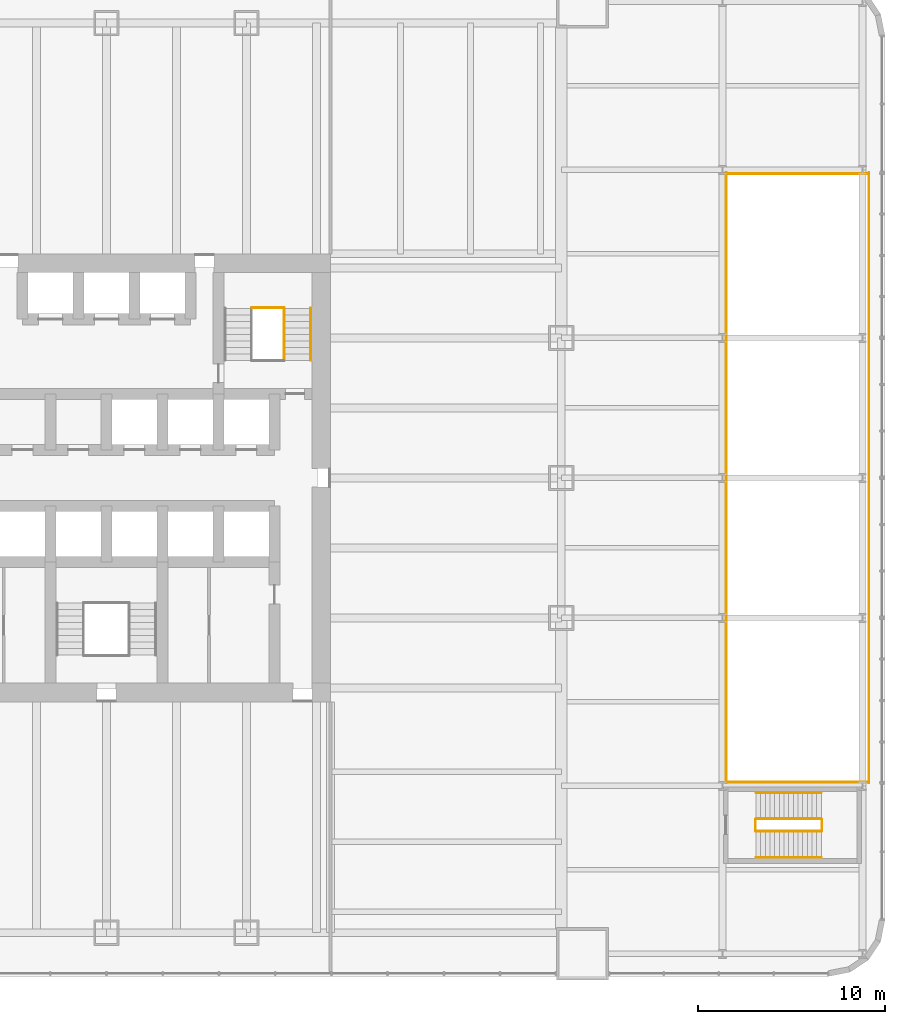
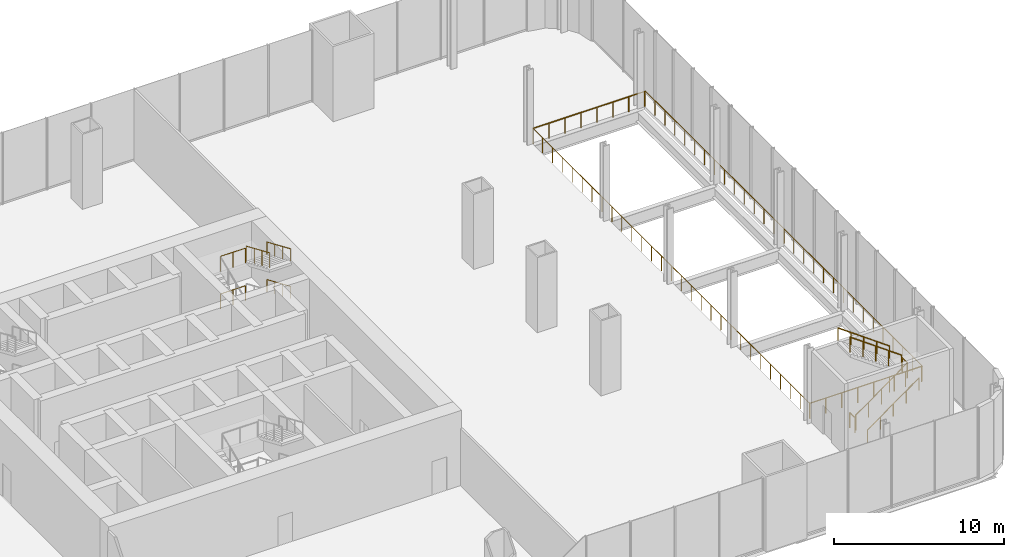
# One storey, part 16 of 16: 15 railings.
"""IFC4 building model written with IfcOpenShell, lengths in metres."""

from ifc_helpers import new_model, si_unit, direction, frame, origin, origin_2d, place, context, subcontext, project, spatial, circle, extrude, material, type_object, element, save


model = new_model("IFC4")

# Units and contexts
model_context = context("Model", 3, precision=1e-05, world=origin(), true_north=direction((0.0, 1.0)))
body_context = subcontext(model_context, "Body", "Model", "MODEL_VIEW")
ifc_project = project(units=[si_unit("LENGTHUNIT", "METRE"), si_unit("AREAUNIT", "SQUARE_METRE"), si_unit("VOLUMEUNIT", "CUBIC_METRE"), si_unit("PLANEANGLEUNIT", "RADIAN"), si_unit("MASSUNIT", "GRAM", prefix="KILO")], contexts=[model_context])

# Site, building, storey
site_placement = place(None, origin())
site = spatial("IfcSite", under=ifc_project, at=site_placement, CompositionType="ELEMENT")
building_placement = place(site_placement, origin())
building = spatial("IfcBuilding", under=site, at=building_placement, Name="Tarangal Relay Tower", CompositionType="ELEMENT")
storey_placement = place(building_placement, frame((0.0, 0.0, 12.60009765625)))
storey = spatial("IfcBuildingStorey", under=building, at=storey_placement, Name="L02", CompositionType="ELEMENT", Elevation=12.60009765625)

# Railings
ifc_material_1 = material(Name="Black steel guard with glass infill", Category="steel")
railing_type_1 = type_object("IfcRailingType", Name="Atrium guard 1100", PredefinedType="GUARDRAIL", material=ifc_material_1)
railing_1_placement = place(storey_placement, frame((40.85009765625, -16.35009765625, 0.0)))
element("IfcRailing", 1, at=railing_1_placement, inside=storey, type_object=railing_type_1, Name="Atrium guard GR3 L02", PredefinedType="GUARDRAIL", context=body_context, shape_type="SweptSolid", body=[
    extrude(circle(Radius=0.02392578125, at=origin_2d()), frame((0.0, 0.0, 1.076171875), z_axis=(0.0, 1.0, 0.0), x_axis=(-1.0, 0.0, 0.0)), (0.0, 0.0, 1.0), 32.7001953125),
    extrude(circle(Radius=0.02099609375, at=origin_2d()), origin(), (0.0, 0.0, 1.0), 1.052001953125),
    extrude(circle(Radius=0.02099609375, at=origin_2d()), frame((0.0, 1.16796875, 0.0)), (0.0, 0.0, 1.0), 1.052001953125),
    extrude(circle(Radius=0.02099609375, at=origin_2d()), frame((0.0, 2.335693359375, 0.0)), (0.0, 0.0, 1.0), 1.052001953125),
    extrude(circle(Radius=0.02099609375, at=origin_2d()), frame((0.0, 3.503662109375, 0.0)), (0.0, 0.0, 1.0), 1.052001953125),
    extrude(circle(Radius=0.02099609375, at=origin_2d()), frame((0.0, 4.67138671875, 0.0)), (0.0, 0.0, 1.0), 1.052001953125),
    extrude(circle(Radius=0.02099609375, at=origin_2d()), frame((0.0, 5.83935546875, 0.0)), (0.0, 0.0, 1.0), 1.052001953125),
    extrude(circle(Radius=0.02099609375, at=origin_2d()), frame((0.0, 7.007080078125, 0.0)), (0.0, 0.0, 1.0), 1.052001953125),
    extrude(circle(Radius=0.02099609375, at=origin_2d()), frame((0.0, 8.175048828125, 0.0)), (0.0, 0.0, 1.0), 1.052001953125),
    extrude(circle(Radius=0.02099609375, at=origin_2d()), frame((0.0, 9.343017578125, 0.0)), (0.0, 0.0, 1.0), 1.052001953125),
    extrude(circle(Radius=0.02099609375, at=origin_2d()), frame((0.0, 10.5107421875, 0.0)), (0.0, 0.0, 1.0), 1.052001953125),
    extrude(circle(Radius=0.02099609375, at=origin_2d()), frame((0.0, 11.6787109375, 0.0)), (0.0, 0.0, 1.0), 1.052001953125),
    extrude(circle(Radius=0.02099609375, at=origin_2d()), frame((0.0, 12.846435546875, 0.0)), (0.0, 0.0, 1.0), 1.052001953125),
    extrude(circle(Radius=0.02099609375, at=origin_2d()), frame((0.0, 14.014404296875, 0.0)), (0.0, 0.0, 1.0), 1.052001953125),
    extrude(circle(Radius=0.02099609375, at=origin_2d()), frame((0.0, 15.18212890625, 0.0)), (0.0, 0.0, 1.0), 1.052001953125),
    extrude(circle(Radius=0.02099609375, at=origin_2d()), frame((0.0, 16.35009765625, 0.0)), (0.0, 0.0, 1.0), 1.052001953125),
    extrude(circle(Radius=0.02099609375, at=origin_2d()), frame((0.0, 17.51806640625, 0.0)), (0.0, 0.0, 1.0), 1.052001953125),
    extrude(circle(Radius=0.02099609375, at=origin_2d()), frame((0.0, 18.685791015625, 0.0)), (0.0, 0.0, 1.0), 1.052001953125),
    extrude(circle(Radius=0.02099609375, at=origin_2d()), frame((0.0, 19.853759765625, 0.0)), (0.0, 0.0, 1.0), 1.052001953125),
    extrude(circle(Radius=0.02099609375, at=origin_2d()), frame((0.0, 21.021484375, 0.0)), (0.0, 0.0, 1.0), 1.052001953125),
    extrude(circle(Radius=0.02099609375, at=origin_2d()), frame((0.0, 22.189453125, 0.0)), (0.0, 0.0, 1.0), 1.052001953125),
    extrude(circle(Radius=0.02099609375, at=origin_2d()), frame((0.0, 23.357177734375, 0.0)), (0.0, 0.0, 1.0), 1.052001953125),
    extrude(circle(Radius=0.02099609375, at=origin_2d()), frame((0.0, 24.525146484375, 0.0)), (0.0, 0.0, 1.0), 1.052001953125),
    extrude(circle(Radius=0.02099609375, at=origin_2d()), frame((0.0, 25.693115234375, 0.0)), (0.0, 0.0, 1.0), 1.052001953125),
    extrude(circle(Radius=0.02099609375, at=origin_2d()), frame((0.0, 26.86083984375, 0.0)), (0.0, 0.0, 1.0), 1.052001953125),
    extrude(circle(Radius=0.02099609375, at=origin_2d()), frame((0.0, 28.02880859375, 0.0)), (0.0, 0.0, 1.0), 1.052001953125),
    extrude(circle(Radius=0.02099609375, at=origin_2d()), frame((0.0, 29.196533203125, 0.0)), (0.0, 0.0, 1.0), 1.052001953125),
    extrude(circle(Radius=0.02099609375, at=origin_2d()), frame((0.0, 30.364501953125, 0.0)), (0.0, 0.0, 1.0), 1.052001953125),
    extrude(circle(Radius=0.02099609375, at=origin_2d()), frame((0.0, 31.5322265625, 0.0)), (0.0, 0.0, 1.0), 1.052001953125),
    extrude(circle(Radius=0.02099609375, at=origin_2d()), frame((0.0, 32.7001953125, 0.0)), (0.0, 0.0, 1.0), 1.052001953125),
])
railing_2_placement = place(storey_placement, frame((33.199951171875, -16.35009765625, 0.0)))
element("IfcRailing", 2, at=railing_2_placement, inside=storey, type_object=railing_type_1, Name="Atrium guard GR3 L02", PredefinedType="GUARDRAIL", context=body_context, shape_type="SweptSolid", body=[
    extrude(circle(Radius=0.02392578125, at=origin_2d()), frame((0.0, 0.0, 1.076171875), z_axis=(0.0, 1.0, 0.0), x_axis=(-1.0, 0.0, 0.0)), (0.0, 0.0, 1.0), 32.7001953125),
    extrude(circle(Radius=0.02099609375, at=origin_2d()), origin(), (0.0, 0.0, 1.0), 1.052001953125),
    extrude(circle(Radius=0.02099609375, at=origin_2d()), frame((0.0, 1.16796875, 0.0)), (0.0, 0.0, 1.0), 1.052001953125),
    extrude(circle(Radius=0.02099609375, at=origin_2d()), frame((0.0, 2.335693359375, 0.0)), (0.0, 0.0, 1.0), 1.052001953125),
    extrude(circle(Radius=0.02099609375, at=origin_2d()), frame((0.0, 3.503662109375, 0.0)), (0.0, 0.0, 1.0), 1.052001953125),
    extrude(circle(Radius=0.02099609375, at=origin_2d()), frame((0.0, 4.67138671875, 0.0)), (0.0, 0.0, 1.0), 1.052001953125),
    extrude(circle(Radius=0.02099609375, at=origin_2d()), frame((0.0, 5.83935546875, 0.0)), (0.0, 0.0, 1.0), 1.052001953125),
    extrude(circle(Radius=0.02099609375, at=origin_2d()), frame((0.0, 7.007080078125, 0.0)), (0.0, 0.0, 1.0), 1.052001953125),
    extrude(circle(Radius=0.02099609375, at=origin_2d()), frame((0.0, 8.175048828125, 0.0)), (0.0, 0.0, 1.0), 1.052001953125),
    extrude(circle(Radius=0.02099609375, at=origin_2d()), frame((0.0, 9.343017578125, 0.0)), (0.0, 0.0, 1.0), 1.052001953125),
    extrude(circle(Radius=0.02099609375, at=origin_2d()), frame((0.0, 10.5107421875, 0.0)), (0.0, 0.0, 1.0), 1.052001953125),
    extrude(circle(Radius=0.02099609375, at=origin_2d()), frame((0.0, 11.6787109375, 0.0)), (0.0, 0.0, 1.0), 1.052001953125),
    extrude(circle(Radius=0.02099609375, at=origin_2d()), frame((0.0, 12.846435546875, 0.0)), (0.0, 0.0, 1.0), 1.052001953125),
    extrude(circle(Radius=0.02099609375, at=origin_2d()), frame((0.0, 14.014404296875, 0.0)), (0.0, 0.0, 1.0), 1.052001953125),
    extrude(circle(Radius=0.02099609375, at=origin_2d()), frame((0.0, 15.18212890625, 0.0)), (0.0, 0.0, 1.0), 1.052001953125),
    extrude(circle(Radius=0.02099609375, at=origin_2d()), frame((0.0, 16.35009765625, 0.0)), (0.0, 0.0, 1.0), 1.052001953125),
    extrude(circle(Radius=0.02099609375, at=origin_2d()), frame((0.0, 17.51806640625, 0.0)), (0.0, 0.0, 1.0), 1.052001953125),
    extrude(circle(Radius=0.02099609375, at=origin_2d()), frame((0.0, 18.685791015625, 0.0)), (0.0, 0.0, 1.0), 1.052001953125),
    extrude(circle(Radius=0.02099609375, at=origin_2d()), frame((0.0, 19.853759765625, 0.0)), (0.0, 0.0, 1.0), 1.052001953125),
    extrude(circle(Radius=0.02099609375, at=origin_2d()), frame((0.0, 21.021484375, 0.0)), (0.0, 0.0, 1.0), 1.052001953125),
    extrude(circle(Radius=0.02099609375, at=origin_2d()), frame((0.0, 22.189453125, 0.0)), (0.0, 0.0, 1.0), 1.052001953125),
    extrude(circle(Radius=0.02099609375, at=origin_2d()), frame((0.0, 23.357177734375, 0.0)), (0.0, 0.0, 1.0), 1.052001953125),
    extrude(circle(Radius=0.02099609375, at=origin_2d()), frame((0.0, 24.525146484375, 0.0)), (0.0, 0.0, 1.0), 1.052001953125),
    extrude(circle(Radius=0.02099609375, at=origin_2d()), frame((0.0, 25.693115234375, 0.0)), (0.0, 0.0, 1.0), 1.052001953125),
    extrude(circle(Radius=0.02099609375, at=origin_2d()), frame((0.0, 26.86083984375, 0.0)), (0.0, 0.0, 1.0), 1.052001953125),
    extrude(circle(Radius=0.02099609375, at=origin_2d()), frame((0.0, 28.02880859375, 0.0)), (0.0, 0.0, 1.0), 1.052001953125),
    extrude(circle(Radius=0.02099609375, at=origin_2d()), frame((0.0, 29.196533203125, 0.0)), (0.0, 0.0, 1.0), 1.052001953125),
    extrude(circle(Radius=0.02099609375, at=origin_2d()), frame((0.0, 30.364501953125, 0.0)), (0.0, 0.0, 1.0), 1.052001953125),
    extrude(circle(Radius=0.02099609375, at=origin_2d()), frame((0.0, 31.5322265625, 0.0)), (0.0, 0.0, 1.0), 1.052001953125),
    extrude(circle(Radius=0.02099609375, at=origin_2d()), frame((0.0, 32.7001953125, 0.0)), (0.0, 0.0, 1.0), 1.052001953125),
])
for number, where, name in (
    (3, (33.199951171875, 16.300048828125, 0.0), "Atrium guard GR3 L02"),
    (4, (33.199951171875, -16.300048828125, 0.0), "Atrium guard GR3 L02"),
):
    element("IfcRailing", number, at=place(storey_placement, frame(where)), inside=storey, type_object=railing_type_1, Name=name, PredefinedType="GUARDRAIL", context=body_context, shape_type="SweptSolid", body=[
        extrude(circle(Radius=0.02392578125, at=origin_2d()), frame((0.0, 0.0, 1.076171875), z_axis=(1.0, 0.0, 0.0), x_axis=(0.0, 1.0, 0.0)), (0.0, 0.0, 1.0), 7.60009765625),
        extrude(circle(Radius=0.02099609375, at=origin_2d()), origin(), (0.0, 0.0, 1.0), 1.052001953125),
        extrude(circle(Radius=0.02099609375, at=origin_2d()), frame((1.085693359375, 0.0, 0.0)), (0.0, 0.0, 1.0), 1.052001953125),
        extrude(circle(Radius=0.02099609375, at=origin_2d()), frame((2.17138671875, 0.0, 0.0)), (0.0, 0.0, 1.0), 1.052001953125),
        extrude(circle(Radius=0.02099609375, at=origin_2d()), frame((3.257080078125, 0.0, 0.0)), (0.0, 0.0, 1.0), 1.052001953125),
        extrude(circle(Radius=0.02099609375, at=origin_2d()), frame((4.343017578125, 0.0, 0.0)), (0.0, 0.0, 1.0), 1.052001953125),
        extrude(circle(Radius=0.02099609375, at=origin_2d()), frame((5.4287109375, 0.0, 0.0)), (0.0, 0.0, 1.0), 1.052001953125),
        extrude(circle(Radius=0.02099609375, at=origin_2d()), frame((6.514404296875, 0.0, 0.0)), (0.0, 0.0, 1.0), 1.052001953125),
        extrude(circle(Radius=0.02099609375, at=origin_2d()), frame((7.60009765625, 0.0, 0.0)), (0.0, 0.0, 1.0), 1.052001953125),
    ])
ifc_material_2 = material(Name="Steel guard, black finish", Category="steel")
railing_type_2 = type_object("IfcRailingType", Name="Stair guard 1100", PredefinedType="GUARDRAIL", material=ifc_material_2)
railing_3_placement = place(storey_placement, frame((9.530029296875, 9.083984375, 4.199951171875)))
element("IfcRailing", 5, at=railing_3_placement, inside=storey, type_object=railing_type_2, Name="Stair ST-B guard GR1 L02 flight 4", PredefinedType="GUARDRAIL", context=body_context, shape_type="SweptSolid", body=[
    extrude(circle(Radius=0.02392578125, at=origin_2d()), frame((0.0, 0.0, 1.076171875), z_axis=(0.0, -0.918326609968, 0.395823492765), x_axis=(1.0, 0.0, 0.0)), (0.0, 0.0, 1.0), 3.031494140625),
    extrude(circle(Radius=0.02099609375, at=origin_2d()), origin(), (0.0, 0.0, 1.0), 1.052001953125),
    extrude(circle(Radius=0.02099609375, at=origin_2d()), frame((0.0, -0.927978515625, 0.39990234375)), (0.0, 0.0, 1.0), 1.052001953125),
    extrude(circle(Radius=0.02099609375, at=origin_2d()), frame((0.0, -1.85595703125, 0.800048828125)), (0.0, 0.0, 1.0), 1.052001953125),
    extrude(circle(Radius=0.02099609375, at=origin_2d()), frame((0.0, -2.783935546875, 1.199951171875)), (0.0, 0.0, 1.0), 1.052001953125),
])
for number, where, name in (
    (6, (7.800048828125, 9.114013671875, 1.349853515625), "Stair ST-B landing guard GR1 L02"),
    (7, (7.800048828125, 9.114013671875, 4.0498046875), "Stair ST-B landing guard GR1 L02"),
):
    element("IfcRailing", number, at=place(storey_placement, frame(where)), inside=storey, type_object=railing_type_2, Name=name, PredefinedType="GUARDRAIL", context=body_context, shape_type="SweptSolid", body=[
        extrude(circle(Radius=0.02392578125, at=origin_2d()), frame((0.0, 0.0, 1.076171875), z_axis=(1.0, 0.0, 0.0), x_axis=(0.0, 1.0, 0.0)), (0.0, 0.0, 1.0), 1.699951171875),
        extrude(circle(Radius=0.02099609375, at=origin_2d()), origin(), (0.0, 0.0, 1.0), 1.052001953125),
        extrude(circle(Radius=0.02099609375, at=origin_2d()), frame((0.85009765625, 0.0, 0.0)), (0.0, 0.0, 1.0), 1.052001953125),
        extrude(circle(Radius=0.02099609375, at=origin_2d()), frame((1.699951171875, 0.0, 0.0)), (0.0, 0.0, 1.0), 1.052001953125),
    ])
railing_4_placement = place(storey_placement, frame((34.800048828125, -18.929931640625, 0.179931640625)))
element("IfcRailing", 8, at=railing_4_placement, inside=storey, type_object=railing_type_2, Name="Stair ST-E guard GR1 L02 flight 1", PredefinedType="GUARDRAIL", context=body_context, shape_type="SweptSolid", body=[
    extrude(circle(Radius=0.02392578125, at=origin_2d()), frame((0.0, 0.0, 1.076171875), z_axis=(0.811532194041, 0.0, 0.584307708349), x_axis=(0.0, 1.0, 0.0)), (0.0, 0.0, 1.0), 4.312744140625),
    extrude(circle(Radius=0.02099609375, at=origin_2d()), origin(), (0.0, 0.0, 1.0), 1.052001953125),
    extrude(circle(Radius=0.02099609375, at=origin_2d()), frame((0.875, 0.0, 0.6298828125)), (0.0, 0.0, 1.0), 1.052001953125),
    extrude(circle(Radius=0.02099609375, at=origin_2d()), frame((1.75, 0.0, 1.260009765625)), (0.0, 0.0, 1.0), 1.052001953125),
    extrude(circle(Radius=0.02099609375, at=origin_2d()), frame((2.625, 0.0, 1.89013671875)), (0.0, 0.0, 1.0), 1.052001953125),
    extrude(circle(Radius=0.02099609375, at=origin_2d()), frame((3.5, 0.0, 2.52001953125)), (0.0, 0.0, 1.0), 1.052001953125),
])
railing_5_placement = place(storey_placement, frame((38.300048828125, -18.27001953125, 2.8798828125)))
element("IfcRailing", 9, at=railing_5_placement, inside=storey, type_object=railing_type_2, Name="Stair ST-E guard GR1 L02 flight 2", PredefinedType="GUARDRAIL", context=body_context, shape_type="SweptSolid", body=[
    extrude(circle(Radius=0.02392578125, at=origin_2d()), frame((0.0, 0.0, 1.076171875), z_axis=(-0.811532194041, 0.0, 0.584307708349), x_axis=(0.0, -1.0, 0.0)), (0.0, 0.0, 1.0), 4.312744140625),
    extrude(circle(Radius=0.02099609375, at=origin_2d()), origin(), (0.0, 0.0, 1.0), 1.052001953125),
    extrude(circle(Radius=0.02099609375, at=origin_2d()), frame((-0.875, 0.0, 0.6298828125)), (0.0, 0.0, 1.0), 1.052001953125),
    extrude(circle(Radius=0.02099609375, at=origin_2d()), frame((-1.75, 0.0, 1.260009765625)), (0.0, 0.0, 1.0), 1.052001953125),
    extrude(circle(Radius=0.02099609375, at=origin_2d()), frame((-2.625, 0.0, 1.89013671875)), (0.0, 0.0, 1.0), 1.052001953125),
    extrude(circle(Radius=0.02099609375, at=origin_2d()), frame((-3.5, 0.0, 2.52001953125)), (0.0, 0.0, 1.0), 1.052001953125),
])
for number, where, name in (
    (10, (34.77001953125, -18.89990234375, 0.0), "Stair ST-E landing guard GR1 L02"),
    (11, (38.330078125, -18.89990234375, 2.699951171875), "Stair ST-E landing guard GR1 L02"),
):
    element("IfcRailing", number, at=place(storey_placement, frame(where)), inside=storey, type_object=railing_type_2, Name=name, PredefinedType="GUARDRAIL", context=body_context, shape_type="SweptSolid", body=[
        extrude(circle(Radius=0.02392578125, at=origin_2d()), frame((0.0, 0.0, 1.076171875), z_axis=(0.0, 1.0, 0.0), x_axis=(-1.0, 0.0, 0.0)), (0.0, 0.0, 1.0), 0.599853515625),
        extrude(circle(Radius=0.02099609375, at=origin_2d()), origin(), (0.0, 0.0, 1.0), 1.052001953125),
        extrude(circle(Radius=0.02099609375, at=origin_2d()), frame((0.0, 0.599853515625, 0.0)), (0.0, 0.0, 1.0), 1.052001953125),
    ])
ifc_material_3 = material(Name="Steel handrail, black finish", Category="steel")
railing_type_3 = type_object("IfcRailingType", Name="Stair handrail 900", PredefinedType="HANDRAIL", material=ifc_material_3)
for number, where, name in (
    (12, (10.93994140625, 9.083984375, 1.5), "Stair ST-B handrail HR1 L02 flight 2"),
    (13, (10.93994140625, 9.083984375, 4.199951171875), "Stair ST-B handrail HR1 L02 flight 4"),
):
    element("IfcRailing", number, at=place(storey_placement, frame(where)), inside=storey, type_object=railing_type_3, Name=name, PredefinedType="HANDRAIL", context=body_context, shape_type="SweptSolid", body=[
        extrude(circle(Radius=0.02392578125, at=origin_2d()), frame((0.0, 0.0, 0.8759765625), z_axis=(0.0, -0.918326609968, 0.395823492765), x_axis=(1.0, 0.0, 0.0)), (0.0, 0.0, 1.0), 3.031494140625),
        extrude(circle(Radius=0.02099609375, at=origin_2d()), origin(), (0.0, 0.0, 1.0), 0.851806640625),
        extrude(circle(Radius=0.02099609375, at=origin_2d()), frame((0.0, -0.927978515625, 0.39990234375)), (0.0, 0.0, 1.0), 0.851806640625),
        extrude(circle(Radius=0.02099609375, at=origin_2d()), frame((0.0, -1.85595703125, 0.800048828125)), (0.0, 0.0, 1.0), 0.851806640625),
        extrude(circle(Radius=0.02099609375, at=origin_2d()), frame((0.0, -2.783935546875, 1.199951171875)), (0.0, 0.0, 1.0), 0.851806640625),
    ])
railing_6_placement = place(storey_placement, frame((34.800048828125, -20.340087890625, 0.179931640625)))
element("IfcRailing", 14, at=railing_6_placement, inside=storey, type_object=railing_type_3, Name="Stair ST-E handrail HR1 L02 flight 1", PredefinedType="HANDRAIL", context=body_context, shape_type="SweptSolid", body=[
    extrude(circle(Radius=0.02392578125, at=origin_2d()), frame((0.0, 0.0, 0.8759765625), z_axis=(0.811532194041, 0.0, 0.584307708349), x_axis=(0.0, 1.0, 0.0)), (0.0, 0.0, 1.0), 4.312744140625),
    extrude(circle(Radius=0.02099609375, at=origin_2d()), origin(), (0.0, 0.0, 1.0), 0.851806640625),
    extrude(circle(Radius=0.02099609375, at=origin_2d()), frame((0.875, 0.0, 0.6298828125)), (0.0, 0.0, 1.0), 0.851806640625),
    extrude(circle(Radius=0.02099609375, at=origin_2d()), frame((1.75, 0.0, 1.260009765625)), (0.0, 0.0, 1.0), 0.851806640625),
    extrude(circle(Radius=0.02099609375, at=origin_2d()), frame((2.625, 0.0, 1.89013671875)), (0.0, 0.0, 1.0), 0.851806640625),
    extrude(circle(Radius=0.02099609375, at=origin_2d()), frame((3.5, 0.0, 2.52001953125)), (0.0, 0.0, 1.0), 0.851806640625),
])
railing_7_placement = place(storey_placement, frame((38.300048828125, -16.860107421875, 2.8798828125)))
element("IfcRailing", 15, at=railing_7_placement, inside=storey, type_object=railing_type_3, Name="Stair ST-E handrail HR1 L02 flight 2", PredefinedType="HANDRAIL", context=body_context, shape_type="SweptSolid", body=[
    extrude(circle(Radius=0.02392578125, at=origin_2d()), frame((0.0, 0.0, 0.8759765625), z_axis=(-0.811532194041, 0.0, 0.584307708349), x_axis=(0.0, -1.0, 0.0)), (0.0, 0.0, 1.0), 4.312744140625),
    extrude(circle(Radius=0.02099609375, at=origin_2d()), origin(), (0.0, 0.0, 1.0), 0.851806640625),
    extrude(circle(Radius=0.02099609375, at=origin_2d()), frame((-0.875, 0.0, 0.6298828125)), (0.0, 0.0, 1.0), 0.851806640625),
    extrude(circle(Radius=0.02099609375, at=origin_2d()), frame((-1.75, 0.0, 1.260009765625)), (0.0, 0.0, 1.0), 0.851806640625),
    extrude(circle(Radius=0.02099609375, at=origin_2d()), frame((-2.625, 0.0, 1.89013671875)), (0.0, 0.0, 1.0), 0.851806640625),
    extrude(circle(Radius=0.02099609375, at=origin_2d()), frame((-3.5, 0.0, 2.52001953125)), (0.0, 0.0, 1.0), 0.851806640625),
])

save(model, "model.ifc")
